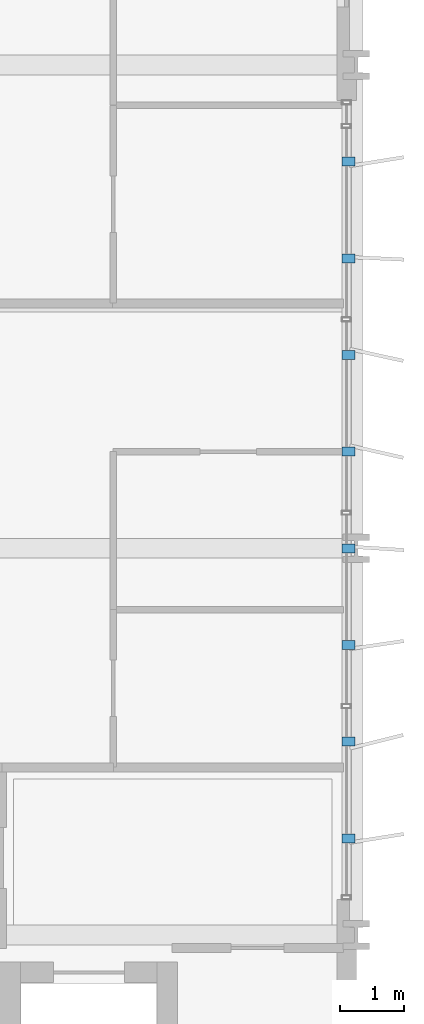
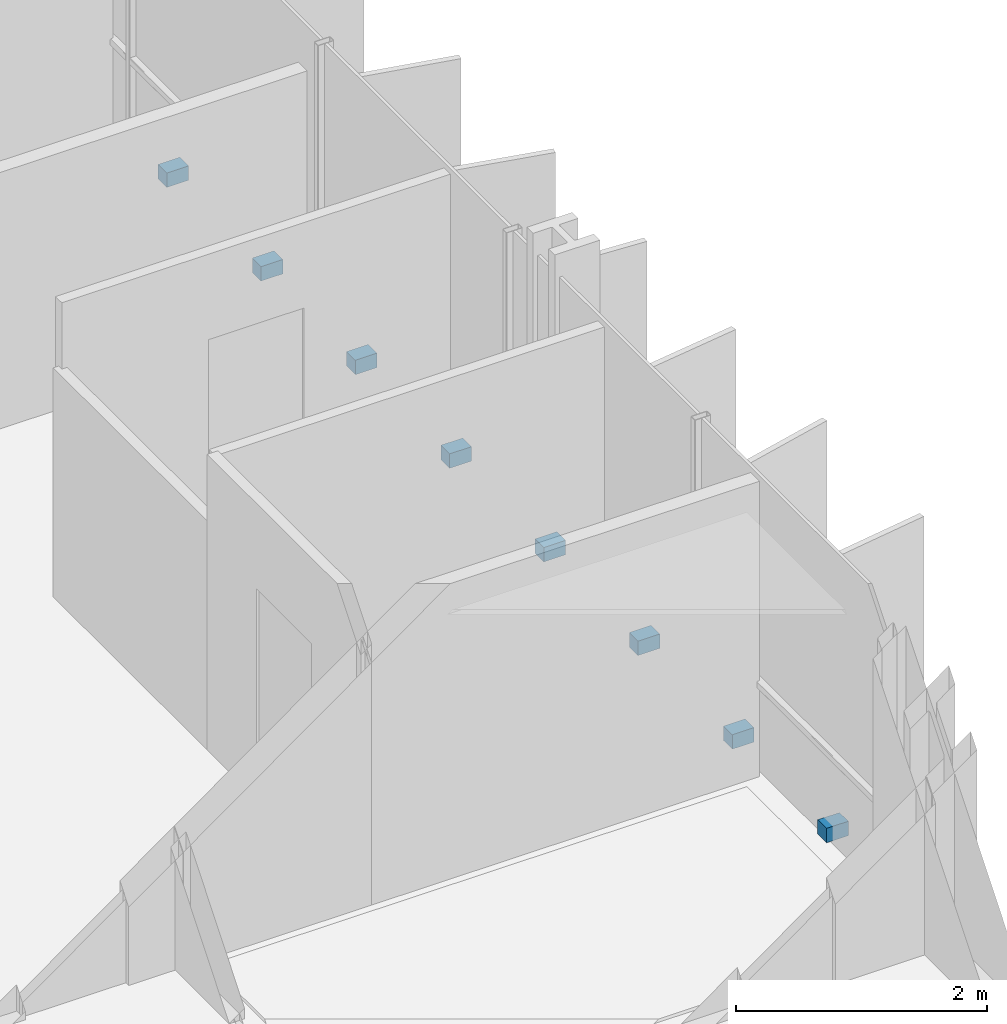
# One storey, part 35 of 39: 8 discrete accessories.
"""IFC4 building model written with IfcOpenShell, lengths in metres."""

from ifc_helpers import new_model, si_unit, direction, frame, origin, origin_2d, place, context, subcontext, project, spatial, rectangle, extrude, material, type_object, element, save


model = new_model("IFC4")

# Units and contexts
model_context = context("Model", 3, precision=1e-05, world=origin(), true_north=direction((0.0, 1.0)))
body_context = subcontext(model_context, "Body", "Model", "MODEL_VIEW")
ifc_project = project(units=[si_unit("LENGTHUNIT", "METRE"), si_unit("AREAUNIT", "SQUARE_METRE"), si_unit("VOLUMEUNIT", "CUBIC_METRE"), si_unit("PLANEANGLEUNIT", "RADIAN"), si_unit("MASSUNIT", "GRAM", prefix="KILO")], contexts=[model_context])

# Site, building, storey
site_placement = place(None, origin())
site = spatial("IfcSite", under=ifc_project, at=site_placement, CompositionType="ELEMENT")
building_placement = place(site_placement, origin())
building = spatial("IfcBuilding", under=site, at=building_placement, Name="Brevholm Reach", CompositionType="ELEMENT")
storey_placement = place(building_placement, frame((0.0, 0.0, 40.39990234375)))
storey = spatial("IfcBuildingStorey", under=building, at=storey_placement, Name="L10", CompositionType="ELEMENT", Elevation=40.39990234375)

# Discrete accessories
ifc_material = material(Name="Duplex Stainless Steel EN 1.4462", Category="steel")
discrete_accessory_type = type_object("IfcDiscreteAccessoryType", Name="ACC-BRK-01", PredefinedType="BRACKET", material=ifc_material)
for number, where, z_axis, x_axis, name in (
    (1, (59.8798828125, 11.5, 0.0302734375), (0.0, 0.0, 1.0), (1.0, 0.0, 0.0), "L10 Solar Screen Support Bracket 1"),
    (2, (59.8798828125, 13.0, 0.0302734375), (0.0, 0.0, 1.0), (1.0, 0.0, 0.0), "L10 Solar Screen Support Bracket 2"),
    (3, (59.8798828125, 14.5, 0.0302734375), (0.0, 0.0, 1.0), (1.0, 0.0, 0.0), "L10 Solar Screen Support Bracket 3"),
    (4, (59.8798828125, 16.0, 0.0302734375), (0.0, 0.0, 1.0), (1.0, 0.0, 0.0), "L10 Solar Screen Support Bracket 4"),
    (5, (59.8798828125, 17.5, 0.0302734375), (0.0, 0.0, 1.0), (1.0, 0.0, 0.0), "L10 Solar Screen Support Bracket 5"),
    (6, (59.8798828125, 19.0, 0.0302734375), (0.0, 0.0, 1.0), (1.0, 0.0, 0.0), "L10 Solar Screen Support Bracket 6"),
    (7, (59.8798828125, 20.5, 0.0302734375), (0.0, 0.0, 1.0), (1.0, 0.0, 0.0), "L10 Solar Screen Support Bracket 7"),
    (8, (59.8798828125, 22.0, 0.0302734375), (0.0, 0.0, 1.0), (1.0, 0.0, 0.0), "L10 Solar Screen Support Bracket 8"),
):
    element("IfcDiscreteAccessory", number, at=place(storey_placement, frame(where, z_axis=z_axis, x_axis=x_axis)), inside=storey, type_object=discrete_accessory_type, Name=name, PredefinedType="BRACKET", context=body_context, shape_type="SweptSolid", body=[
        extrude(rectangle(XDim=0.199951171875, YDim=0.139892578125, at=origin_2d()), origin(), (0.0, 0.0, 1.0), 0.139892578125),
    ])

save(model, "model.ifc")
